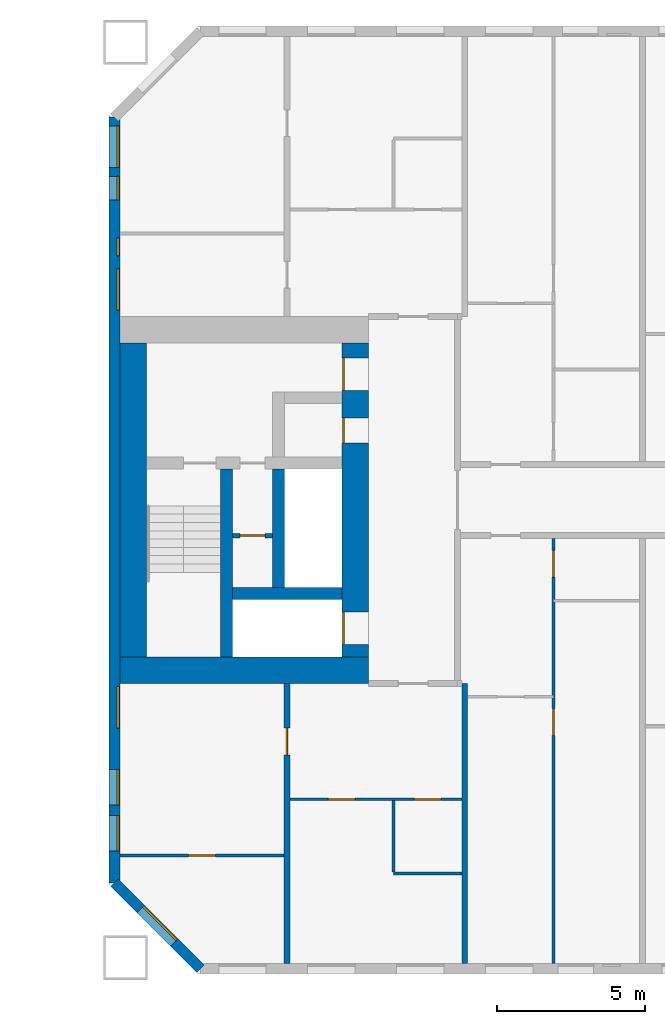
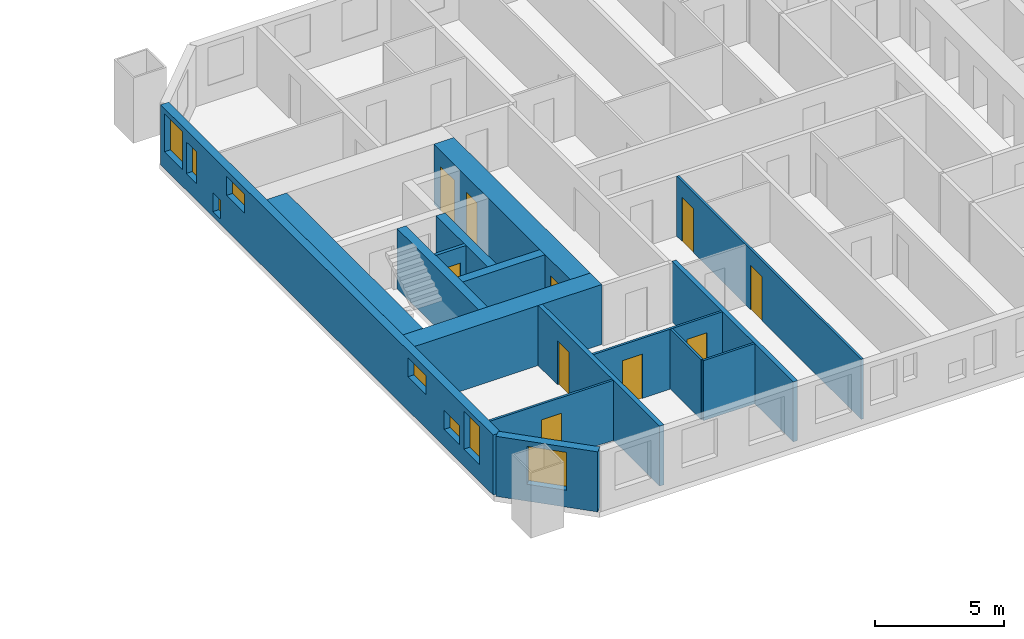
# One storey, part 10 of 18: 16 walls, 10 doors, 8 windows, 18 openings.
"""IFC4 building model written with IfcOpenShell, lengths in metres."""

from ifc_helpers import new_model, si_unit, direction, frame, frame_2d, origin, place, context, subcontext, project, spatial, rectangle, extrude, material, layer, layer_set, type_object, element, fill, save


model = new_model("IFC4")

# Units and contexts
model_context = context("Model", 3, precision=1e-05, world=origin(), true_north=direction((0.0, 1.0)))
body_context = subcontext(model_context, "Body", "Model", "MODEL_VIEW")
ifc_project = project(units=[si_unit("LENGTHUNIT", "METRE"), si_unit("AREAUNIT", "SQUARE_METRE"), si_unit("VOLUMEUNIT", "CUBIC_METRE"), si_unit("PLANEANGLEUNIT", "RADIAN"), si_unit("MASSUNIT", "GRAM", prefix="KILO")], contexts=[model_context])

# Site, building, storey
site_placement = place(None, origin())
site = spatial("IfcSite", under=ifc_project, at=site_placement, CompositionType="ELEMENT")
building_placement = place(site_placement, origin())
building = spatial("IfcBuilding", under=site, at=building_placement, Name="Tuart Gate Housing", CompositionType="ELEMENT")
storey_placement = place(building_placement, frame((0.0, 0.0, 31.89990234375)))
storey = spatial("IfcBuildingStorey", under=building, at=storey_placement, Name="L08", CompositionType="ELEMENT", Elevation=31.89990234375)

# Wall, opening, window
ifc_material_1 = material(Name="Brick", Category="masonry")
ifc_layer_1 = layer(ifc_material_1, 0.360107421875)
ifc_layer_set_1 = layer_set([ifc_layer_1], Name="Brick pier and spandrel wall 360")
wall_type_1 = type_object("IfcWallType", Name="Brick pier and spandrel wall 360", PredefinedType="STANDARD", material=ifc_layer_set_1)
wall_1_placement = place(storey_placement, frame((131.179931640625, 57.07470703125, 0.0), z_axis=(0.0, 0.0, 1.0), x_axis=(0.707106781187, -0.707106781187, 0.0)))
wall_1 = element("IfcWall", 1, at=wall_1_placement, inside=storey, type_object=wall_type_1, Name="External wall B-SW L08", PredefinedType="STANDARD", context=body_context, shape_type="SweptSolid", body=[
    extrude(rectangle(XDim=4.09375, YDim=0.360107421875, at=frame_2d((2.046875, 0.0))), origin(), (0.0, 0.0, 1.0), 2.85009765625),
])
opening_1_placement = place(wall_1_placement, frame((1.2470703125, 0.0, 0.800048828125)))
opening_1 = element("IfcOpeningElement", 2, at=opening_1_placement, cuts=wall_1, Name="Opening W1", PredefinedType="OPENING", context=body_context, shape_type="SweptSolid", body=[
    extrude(rectangle(XDim=1.60009765625, YDim=1.800048828125, at=frame_2d((0.800048828125, 0.89990234375))), frame((0.0, 0.18994140625, 0.0), z_axis=(0.0, -1.0, 0.0), x_axis=(1.0, 0.0, 0.0)), (0.0, 0.0, 1.0), 0.380126953125),
])
ifc_material_2 = material(Name="Aluminium frame with clear glass", Category="aluminium")
window_type_1 = type_object("IfcWindowType", Name="Punched window 1600 x 1800", PartitioningType="SINGLE_PANEL", PredefinedType="WINDOW", material=ifc_material_2)
window_1_placement = place(opening_1_placement, origin())
window_1 = element("IfcWindow", 3, at=window_1_placement, inside=storey, type_object=window_type_1, Name="Window W1", OverallHeight=1.800048828125, OverallWidth=1.60009765625, PartitioningType="SINGLE_PANEL", PredefinedType="WINDOW", context=body_context, shape_type="SweptSolid", body=[
    extrude(rectangle(XDim=1.60009765625, YDim=1.800048828125, at=frame_2d((0.800048828125, 0.89990234375))), frame((0.0, 0.150146484375, 0.0), z_axis=(0.0, -1.0, 0.0), x_axis=(1.0, 0.0, 0.0)), (0.0, 0.0, 1.0), 0.06005859375),
])
fill(opening_1, window_1)

# Wall, openings, windows
wall_2_placement = place(storey_placement, frame((131.179931640625, 82.92529296875, 0.0), z_axis=(0.0, 0.0, 1.0), x_axis=(0.0, -1.0, 0.0)))
wall_2 = element("IfcWall", 4, at=wall_2_placement, inside=storey, type_object=wall_type_1, Name="External wall B-W L08", PredefinedType="STANDARD", context=body_context, shape_type="SweptSolid", body=[
    extrude(rectangle(XDim=25.850830078125, YDim=0.360107421875, at=frame_2d((12.92529296875, 0.0))), origin(), (0.0, 0.0, 1.0), 2.85009765625),
])
opening_2_placement = place(wall_2_placement, frame((0.300048828125, 0.0, 0.800048828125)))
opening_2 = element("IfcOpeningElement", 5, at=opening_2_placement, cuts=wall_2, Name="Opening W1A", PredefinedType="OPENING", context=body_context, shape_type="SweptSolid", body=[
    extrude(rectangle(XDim=1.39990234375, YDim=1.800048828125, at=frame_2d((0.699951171875, 0.89990234375))), frame((0.0, 0.18994140625, 0.0), z_axis=(0.0, -1.0, 0.0), x_axis=(1.0, 0.0, 0.0)), (0.0, 0.0, 1.0), 0.380126953125),
])
opening_3_placement = place(wall_2_placement, frame((4.075439453125, 0.0, 0.25)))
opening_3 = element("IfcOpeningElement", 6, at=opening_3_placement, cuts=wall_2, Name="Opening W1W", PredefinedType="OPENING", context=body_context, shape_type="SweptSolid", body=[
    extrude(rectangle(XDim=0.60009765625, YDim=0.89990234375, at=frame_2d((0.300048828125, 0.449951171875))), frame((0.0, 0.18994140625, 0.0), z_axis=(0.0, -1.0, 0.0), x_axis=(1.0, 0.0, 0.0)), (0.0, 0.0, 1.0), 0.380126953125),
])
opening_4_placement = place(wall_2_placement, frame((19.225341796875, 0.0, 1.60009765625)))
opening_4 = element("IfcOpeningElement", 7, at=opening_4_placement, cuts=wall_2, Name="Opening W1S", PredefinedType="OPENING", context=body_context, shape_type="SweptSolid", body=[
    extrude(rectangle(XDim=1.39990234375, YDim=0.89990234375, at=frame_2d((0.699951171875, 0.449951171875))), frame((0.0, 0.18994140625, 0.0), z_axis=(0.0, -1.0, 0.0), x_axis=(1.0, 0.0, 0.0)), (0.0, 0.0, 1.0), 0.380126953125),
])
opening_5_placement = place(wall_2_placement, frame((22.025390625, 0.0, 0.800048828125)))
opening_5 = element("IfcOpeningElement", 8, at=opening_5_placement, cuts=wall_2, Name="Opening W1T", PredefinedType="OPENING", context=body_context, shape_type="SweptSolid", body=[
    extrude(rectangle(XDim=1.199951171875, YDim=0.89990234375, at=frame_2d((0.60009765625, 0.449951171875))), frame((0.0, 0.18994140625, 0.0), z_axis=(0.0, -1.0, 0.0), x_axis=(1.0, 0.0, 0.0)), (0.0, 0.0, 1.0), 0.380126953125),
])
opening_6_placement = place(wall_2_placement, frame((2.0, 0.0, 0.800048828125)))
opening_6 = element("IfcOpeningElement", 9, at=opening_6_placement, cuts=wall_2, Name="Opening W1J", PredefinedType="OPENING", context=body_context, shape_type="SweptSolid", body=[
    extrude(rectangle(XDim=0.800048828125, YDim=1.5, at=frame_2d((0.39990234375, 0.75))), frame((0.0, 0.18994140625, 0.0), z_axis=(0.0, -1.0, 0.0), x_axis=(1.0, 0.0, 0.0)), (0.0, 0.0, 1.0), 0.380126953125),
])
opening_7_placement = place(wall_2_placement, frame((5.12548828125, 0.0, 1.64990234375)))
opening_7 = element("IfcOpeningElement", 10, at=opening_7_placement, cuts=wall_2, Name="Opening W1S", PredefinedType="OPENING", context=body_context, shape_type="SweptSolid", body=[
    extrude(rectangle(XDim=1.39990234375, YDim=0.89990234375, at=frame_2d((0.699951171875, 0.449951171875))), frame((0.0, 0.18994140625, 0.0), z_axis=(0.0, -1.0, 0.0), x_axis=(1.0, 0.0, 0.0)), (0.0, 0.0, 1.0), 0.380126953125),
])
opening_8_placement = place(wall_2_placement, frame((23.575439453125, 0.0, 0.800048828125)))
opening_8 = element("IfcOpeningElement", 11, at=opening_8_placement, cuts=wall_2, Name="Opening W1B", PredefinedType="OPENING", context=body_context, shape_type="SweptSolid", body=[
    extrude(rectangle(XDim=1.199951171875, YDim=1.800048828125, at=frame_2d((0.60009765625, 0.89990234375))), frame((0.0, 0.18994140625, 0.0), z_axis=(0.0, -1.0, 0.0), x_axis=(1.0, 0.0, 0.0)), (0.0, 0.0, 1.0), 0.380126953125),
])
ifc_material_3 = material(Name="Aluminium frame with clear glass", Category="aluminium")
window_type_2 = type_object("IfcWindowType", Name="Punched window 1200 x 1800", PartitioningType="SINGLE_PANEL", PredefinedType="WINDOW", material=ifc_material_3)
window_2_placement = place(opening_8_placement, origin())
window_2 = element("IfcWindow", 12, at=window_2_placement, inside=storey, type_object=window_type_2, Name="Window W1B", OverallHeight=1.800048828125, OverallWidth=1.199951171875, PartitioningType="SINGLE_PANEL", PredefinedType="WINDOW", context=body_context, shape_type="SweptSolid", body=[
    extrude(rectangle(XDim=1.199951171875, YDim=1.800048828125, at=frame_2d((0.60009765625, 0.89990234375))), frame((0.0, 0.150146484375, 0.0), z_axis=(0.0, -1.0, 0.0), x_axis=(1.0, 0.0, 0.0)), (0.0, 0.0, 1.0), 0.06005859375),
])
fill(opening_8, window_2)
ifc_material_4 = material(Name="Aluminium frame with clear glass", Category="aluminium")
window_type_3 = type_object("IfcWindowType", Name="Punched window 1200 x 900", PartitioningType="SINGLE_PANEL", PredefinedType="WINDOW", material=ifc_material_4)
window_3_placement = place(opening_5_placement, origin())
window_3 = element("IfcWindow", 13, at=window_3_placement, inside=storey, type_object=window_type_3, Name="Window W1T", OverallHeight=0.89990234375, OverallWidth=1.199951171875, PartitioningType="SINGLE_PANEL", PredefinedType="WINDOW", context=body_context, shape_type="SweptSolid", body=[
    extrude(rectangle(XDim=1.199951171875, YDim=0.89990234375, at=frame_2d((0.60009765625, 0.449951171875))), frame((0.0, 0.150146484375, 0.0), z_axis=(0.0, -1.0, 0.0), x_axis=(1.0, 0.0, 0.0)), (0.0, 0.0, 1.0), 0.06005859375),
])
fill(opening_5, window_3)
ifc_material_5 = material(Name="Aluminium frame with clear glass", Category="aluminium")
window_type_4 = type_object("IfcWindowType", Name="Punched window 1400 x 1800", PartitioningType="SINGLE_PANEL", PredefinedType="WINDOW", material=ifc_material_5)
window_4_placement = place(opening_2_placement, origin())
window_4 = element("IfcWindow", 14, at=window_4_placement, inside=storey, type_object=window_type_4, Name="Window W1A", OverallHeight=1.800048828125, OverallWidth=1.39990234375, PartitioningType="SINGLE_PANEL", PredefinedType="WINDOW", context=body_context, shape_type="SweptSolid", body=[
    extrude(rectangle(XDim=1.39990234375, YDim=1.800048828125, at=frame_2d((0.699951171875, 0.89990234375))), frame((0.0, 0.150146484375, 0.0), z_axis=(0.0, -1.0, 0.0), x_axis=(1.0, 0.0, 0.0)), (0.0, 0.0, 1.0), 0.06005859375),
])
fill(opening_2, window_4)
ifc_material_6 = material(Name="Aluminium frame with clear glass", Category="aluminium")
window_type_5 = type_object("IfcWindowType", Name="Punched window 1400 x 900", PartitioningType="SINGLE_PANEL", PredefinedType="WINDOW", material=ifc_material_6)
window_5_placement = place(opening_4_placement, origin())
window_5 = element("IfcWindow", 15, at=window_5_placement, inside=storey, type_object=window_type_5, Name="Window W1S", OverallHeight=0.89990234375, OverallWidth=1.39990234375, PartitioningType="SINGLE_PANEL", PredefinedType="WINDOW", context=body_context, shape_type="SweptSolid", body=[
    extrude(rectangle(XDim=1.39990234375, YDim=0.89990234375, at=frame_2d((0.699951171875, 0.449951171875))), frame((0.0, 0.150146484375, 0.0), z_axis=(0.0, -1.0, 0.0), x_axis=(1.0, 0.0, 0.0)), (0.0, 0.0, 1.0), 0.06005859375),
])
fill(opening_4, window_5)
window_6_placement = place(opening_7_placement, origin())
window_6 = element("IfcWindow", 16, at=window_6_placement, inside=storey, type_object=window_type_5, Name="Window W1S", OverallHeight=0.89990234375, OverallWidth=1.39990234375, PartitioningType="SINGLE_PANEL", PredefinedType="WINDOW", context=body_context, shape_type="SweptSolid", body=[
    extrude(rectangle(XDim=1.39990234375, YDim=0.89990234375, at=frame_2d((0.699951171875, 0.449951171875))), frame((0.0, 0.150146484375, 0.0), z_axis=(0.0, -1.0, 0.0), x_axis=(1.0, 0.0, 0.0)), (0.0, 0.0, 1.0), 0.06005859375),
])
fill(opening_7, window_6)
ifc_material_7 = material(Name="Aluminium frame with clear glass", Category="aluminium")
window_type_6 = type_object("IfcWindowType", Name="Punched window 600 x 900", PartitioningType="SINGLE_PANEL", PredefinedType="WINDOW", material=ifc_material_7)
window_7_placement = place(opening_3_placement, origin())
window_7 = element("IfcWindow", 17, at=window_7_placement, inside=storey, type_object=window_type_6, Name="Window W1W", OverallHeight=0.89990234375, OverallWidth=0.60009765625, PartitioningType="SINGLE_PANEL", PredefinedType="WINDOW", context=body_context, shape_type="SweptSolid", body=[
    extrude(rectangle(XDim=0.60009765625, YDim=0.89990234375, at=frame_2d((0.300048828125, 0.449951171875))), frame((0.0, 0.150146484375, 0.0), z_axis=(0.0, -1.0, 0.0), x_axis=(1.0, 0.0, 0.0)), (0.0, 0.0, 1.0), 0.06005859375),
])
fill(opening_3, window_7)
ifc_material_8 = material(Name="Aluminium frame with clear glass", Category="aluminium")
window_type_7 = type_object("IfcWindowType", Name="Punched window 800 x 1500", PartitioningType="SINGLE_PANEL", PredefinedType="WINDOW", material=ifc_material_8)
window_8_placement = place(opening_6_placement, origin())
window_8 = element("IfcWindow", 18, at=window_8_placement, inside=storey, type_object=window_type_7, Name="Window W1J", OverallHeight=1.5, OverallWidth=0.800048828125, PartitioningType="SINGLE_PANEL", PredefinedType="WINDOW", context=body_context, shape_type="SweptSolid", body=[
    extrude(rectangle(XDim=0.800048828125, YDim=1.5, at=frame_2d((0.39990234375, 0.75))), frame((0.0, 0.150146484375, 0.0), z_axis=(0.0, -1.0, 0.0), x_axis=(1.0, 0.0, 0.0)), (0.0, 0.0, 1.0), 0.06005859375),
])
fill(opening_6, window_8)

# Wall, opening, door
ifc_material_9 = material(Name="Plasterboard partition")
ifc_layer_2 = layer(ifc_material_9, 0.14990234375)
ifc_layer_set_2 = layer_set([ifc_layer_2], Name="Core partition 150")
wall_type_2 = type_object("IfcWallType", Name="Core partition 150", PredefinedType="PARTITIONING", material=ifc_layer_set_2)
wall_3_placement = place(storey_placement, frame((136.510009765625, 68.800048828125, 0.0), z_axis=(0.0, 0.0, 1.0), x_axis=(-1.0, 0.0, 0.0)))
wall_3 = element("IfcWall", 19, at=wall_3_placement, inside=storey, type_object=wall_type_2, Name="Core partition BG.2", PredefinedType="PARTITIONING", context=body_context, shape_type="SweptSolid", body=[
    extrude(rectangle(XDim=1.35009765625, YDim=0.14990234375, at=frame_2d((0.675048828125, 0.0))), origin(), (0.0, 0.0, 1.0), 2.85009765625),
])
opening_9_placement = place(wall_3_placement, frame((0.25, 0.0, 0.0)))
opening_9 = element("IfcOpeningElement", 20, at=opening_9_placement, cuts=wall_3, Name="Opening D564", PredefinedType="OPENING", context=body_context, shape_type="SweptSolid", body=[
    extrude(rectangle(XDim=0.85009765625, YDim=2.10009765625, at=frame_2d((0.425048828125, 1.050048828125))), frame((0.0, 0.0849609375, 0.0), z_axis=(0.0, -1.0, 0.0), x_axis=(1.0, 0.0, 0.0)), (0.0, 0.0, 1.0), 0.169921875),
])
ifc_material_10 = material(Name="Steel fire door", Category="steel")
door_type_1 = type_object("IfcDoorType", Name="Service door 850 x 2100 RH", OperationType="SINGLE_SWING_RIGHT", PredefinedType="DOOR", material=ifc_material_10)
door_1_placement = place(opening_9_placement, frame((0.85009765625, 0.0, 0.0), z_axis=(0.0, 0.0, 1.0), x_axis=(-1.0, 0.0, 0.0)))
door_1 = element("IfcDoor", 21, at=door_1_placement, inside=storey, type_object=door_type_1, Name="Service room door BG.W2", OperationType="SINGLE_SWING_RIGHT", OverallHeight=2.10009765625, OverallWidth=0.85009765625, PredefinedType="DOOR", context=body_context, shape_type="SweptSolid", body=[
    extrude(rectangle(XDim=0.85009765625, YDim=2.10009765625, at=frame_2d((0.425048828125, 1.050048828125))), frame((0.0, 0.025146484375, 0.0), z_axis=(0.0, -1.0, 0.0), x_axis=(1.0, 0.0, 0.0)), (0.0, 0.0, 1.0), 0.050048828125),
])
fill(opening_9, door_1)

# Walls
ifc_material_11 = material(Name="Concrete C60", Category="concrete")
ifc_layer_3 = layer(ifc_material_11, 0.39990234375)
ifc_layer_set_3 = layer_set([ifc_layer_3], Name="Core wall 400 C60")
wall_type_3 = type_object("IfcWallType", Name="Core wall 400 C60", PredefinedType="SHEAR", material=ifc_layer_set_3)
wall_4_placement = place(storey_placement, frame((138.860107421875, 66.85009765625, 0.0), z_axis=(0.0, 0.0, 1.0), x_axis=(-1.0, 0.0, 0.0)))
element("IfcWall", 22, at=wall_4_placement, inside=storey, type_object=wall_type_3, Name="Core wall BG.1", PredefinedType="SHEAR", context=body_context, shape_type="SweptSolid", body=[
    extrude(rectangle(XDim=3.7001953125, YDim=0.39990234375, at=frame_2d((1.85009765625, 0.0))), origin(), (0.0, 0.0, 1.0), 2.85009765625),
])
wall_5_placement = place(storey_placement, frame((136.7099609375, 67.050048828125, 0.0), z_axis=(0.0, 0.0, 1.0), x_axis=(0.0, 1.0, 0.0)))
element("IfcWall", 23, at=wall_5_placement, inside=storey, type_object=wall_type_3, Name="Core wall BG.5", PredefinedType="SHEAR", context=body_context, shape_type="SweptSolid", body=[
    extrude(rectangle(XDim=4.0, YDim=0.39990234375, at=frame_2d((2.0, 0.0))), origin(), (0.0, 0.0, 1.0), 2.85009765625),
])
wall_6_placement = place(storey_placement, frame((134.9599609375, 64.699951171875, 0.0), z_axis=(0.0, 0.0, 1.0), x_axis=(0.0, 1.0, 0.0)))
element("IfcWall", 24, at=wall_6_placement, inside=storey, type_object=wall_type_3, Name="Core wall BG.7", PredefinedType="SHEAR", context=body_context, shape_type="SweptSolid", body=[
    extrude(rectangle(XDim=6.35009765625, YDim=0.39990234375, at=frame_2d((3.175048828125, 0.0))), origin(), (0.0, 0.0, 1.0), 2.85009765625),
])

# Wall, openings, doors
ifc_material_12 = material(Name="Concrete C60", Category="concrete")
ifc_layer_4 = layer(ifc_material_12, 0.89990234375)
ifc_layer_set_4 = layer_set([ifc_layer_4], Name="Core wall 900 C60")
wall_type_4 = type_object("IfcWallType", Name="Core wall 900 C60", PredefinedType="SHEAR", material=ifc_layer_set_4)
wall_7_placement = place(storey_placement, frame((139.31005859375, 64.699951171875, 0.0), z_axis=(0.0, 0.0, 1.0), x_axis=(0.0, 1.0, 0.0)))
wall_7 = element("IfcWall", 25, at=wall_7_placement, inside=storey, type_object=wall_type_4, Name="Core wall BG front", PredefinedType="SHEAR", context=body_context, shape_type="SweptSolid", body=[
    extrude(rectangle(XDim=10.60009765625, YDim=0.89990234375, at=frame_2d((5.300048828125, 0.0))), origin(), (0.0, 0.0, 1.0), 2.85009765625),
])
opening_10_placement = place(wall_7_placement, frame((0.425048828125, 0.0, 0.0)))
opening_10 = element("IfcOpeningElement", 26, at=opening_10_placement, cuts=wall_7, Name="Opening LD-FB1", PredefinedType="OPENING", context=body_context, shape_type="SweptSolid", body=[
    extrude(rectangle(XDim=1.10009765625, YDim=2.10009765625, at=frame_2d((0.550048828125, 1.050048828125))), frame((0.0, 0.4599609375, 0.0), z_axis=(0.0, -1.0, 0.0), x_axis=(1.0, 0.0, 0.0)), (0.0, 0.0, 1.0), 0.919921875),
])
opening_11_placement = place(wall_7_placement, frame((9.0, 0.0, 0.0)))
opening_11 = element("IfcOpeningElement", 27, at=opening_11_placement, cuts=wall_7, Name="Opening D556", PredefinedType="OPENING", context=body_context, shape_type="SweptSolid", body=[
    extrude(rectangle(XDim=1.10009765625, YDim=2.10009765625, at=frame_2d((0.550048828125, 1.050048828125))), frame((0.0, 0.4599609375, 0.0), z_axis=(0.0, -1.0, 0.0), x_axis=(1.0, 0.0, 0.0)), (0.0, 0.0, 1.0), 0.919921875),
])
opening_12_placement = place(wall_7_placement, frame((7.22509765625, 0.0, 0.0)))
opening_12 = element("IfcOpeningElement", 28, at=opening_12_placement, cuts=wall_7, Name="Opening D557", PredefinedType="OPENING", context=body_context, shape_type="SweptSolid", body=[
    extrude(rectangle(XDim=0.85009765625, YDim=2.10009765625, at=frame_2d((0.425048828125, 1.050048828125))), frame((0.0, 0.4599609375, 0.0), z_axis=(0.0, -1.0, 0.0), x_axis=(1.0, 0.0, 0.0)), (0.0, 0.0, 1.0), 0.919921875),
])
ifc_material_13 = material(Name="Stainless steel", Category="steel")
door_type_2 = type_object("IfcDoorType", Name="Landing door 1100 x 2100", OperationType="DOUBLE_DOOR_SLIDING", PredefinedType="DOOR", material=ifc_material_13)
door_2_placement = place(opening_10_placement, origin())
door_2 = element("IfcDoor", 29, at=door_2_placement, inside=storey, type_object=door_type_2, Name="Lift landing door FB1", OperationType="DOUBLE_DOOR_SLIDING", OverallHeight=2.10009765625, OverallWidth=1.10009765625, PredefinedType="DOOR", context=body_context, shape_type="SweptSolid", body=[
    extrude(rectangle(XDim=1.10009765625, YDim=2.10009765625, at=frame_2d((0.550048828125, 1.050048828125))), frame((0.0, 0.43505859375, 0.0), z_axis=(0.0, -1.0, 0.0), x_axis=(1.0, 0.0, 0.0)), (0.0, 0.0, 1.0), 0.050048828125),
])
fill(opening_10, door_2)
ifc_material_14 = material(Name="Steel fire door", Category="steel")
door_type_3 = type_object("IfcDoorType", Name="Lobby door 1100 x 2100", OperationType="SINGLE_SWING_LEFT", PredefinedType="DOOR", material=ifc_material_14)
door_3_placement = place(opening_11_placement, origin())
door_3 = element("IfcDoor", 30, at=door_3_placement, inside=storey, type_object=door_type_3, Name="Lobby entry door BG.EN", OperationType="SINGLE_SWING_LEFT", OverallHeight=2.10009765625, OverallWidth=1.10009765625, PredefinedType="DOOR", context=body_context, shape_type="SweptSolid", body=[
    extrude(rectangle(XDim=1.10009765625, YDim=2.10009765625, at=frame_2d((0.550048828125, 1.050048828125))), frame((0.0, 0.43505859375, 0.0), z_axis=(0.0, -1.0, 0.0), x_axis=(1.0, 0.0, 0.0)), (0.0, 0.0, 1.0), 0.050048828125),
])
fill(opening_11, door_3)
ifc_material_15 = material(Name="Steel fire door", Category="steel")
door_type_4 = type_object("IfcDoorType", Name="Service door 850 x 2100", OperationType="SINGLE_SWING_LEFT", PredefinedType="DOOR", material=ifc_material_15)
door_4_placement = place(opening_12_placement, origin())
door_4 = element("IfcDoor", 31, at=door_4_placement, inside=storey, type_object=door_type_4, Name="Service room door BG.T1", OperationType="SINGLE_SWING_LEFT", OverallHeight=2.10009765625, OverallWidth=0.85009765625, PredefinedType="DOOR", context=body_context, shape_type="SweptSolid", body=[
    extrude(rectangle(XDim=0.85009765625, YDim=2.10009765625, at=frame_2d((0.425048828125, 1.050048828125))), frame((0.0, 0.43505859375, 0.0), z_axis=(0.0, -1.0, 0.0), x_axis=(1.0, 0.0, 0.0)), (0.0, 0.0, 1.0), 0.050048828125),
])
fill(opening_12, door_4)

# Walls
wall_8_placement = place(storey_placement, frame((131.81005859375, 64.699951171875, 0.0), z_axis=(0.0, 0.0, 1.0), x_axis=(0.0, 1.0, 0.0)))
element("IfcWall", 32, at=wall_8_placement, inside=storey, type_object=wall_type_4, Name="Core wall BG back", PredefinedType="SHEAR", context=body_context, shape_type="SweptSolid", body=[
    extrude(rectangle(XDim=10.60009765625, YDim=0.89990234375, at=frame_2d((5.300048828125, 0.0))), origin(), (0.0, 0.0, 1.0), 2.85009765625),
])
wall_9_placement = place(storey_placement, frame((139.760009765625, 64.25, 0.0), z_axis=(0.0, 0.0, 1.0), x_axis=(-1.0, 0.0, 0.0)))
element("IfcWall", 33, at=wall_9_placement, inside=storey, type_object=wall_type_4, Name="Core wall BG south", PredefinedType="SHEAR", context=body_context, shape_type="SweptSolid", body=[
    extrude(rectangle(XDim=8.39990234375, YDim=0.89990234375, at=frame_2d((4.199951171875, 0.0))), origin(), (0.0, 0.0, 1.0), 2.85009765625),
])
ifc_material_16 = material(Name="Gypsum board on steel studs", Category="steel")
ifc_layer_5 = layer(ifc_material_16, 0.10009765625)
ifc_layer_set_5 = layer_set([ifc_layer_5], Name="Partition 100")
wall_type_5 = type_object("IfcWallType", Name="Partition 100", PredefinedType="PARTITIONING", material=ifc_layer_set_5)
wall_10_placement = place(storey_placement, frame((140.60009765625, 57.39990234375, 0.0), z_axis=(0.0, 0.0, 1.0), x_axis=(1.0, 0.0, 0.0)))
element("IfcWall", 34, at=wall_10_placement, inside=storey, type_object=wall_type_5, Name="Partition 100", PredefinedType="PARTITIONING", context=body_context, shape_type="SweptSolid", body=[
    extrude(rectangle(XDim=2.2998046875, YDim=0.10009765625, at=frame_2d((1.14990234375, 0.0))), origin(), (0.0, 0.0, 1.0), 2.85009765625),
])

# Wall, opening, door
wall_11_placement = place(storey_placement, frame((131.360107421875, 58.0, 0.0), z_axis=(0.0, 0.0, 1.0), x_axis=(1.0, 0.0, 0.0)))
wall_11 = element("IfcWall", 35, at=wall_11_placement, inside=storey, type_object=wall_type_5, Name="Partition 100", PredefinedType="PARTITIONING", context=body_context, shape_type="SweptSolid", body=[
    extrude(rectangle(XDim=5.539794921875, YDim=0.10009765625, at=frame_2d((2.77001953125, 0.0))), origin(), (0.0, 0.0, 1.0), 2.85009765625),
])
opening_13_placement = place(wall_11_placement, frame((2.320068359375, 0.0, 0.0)))
opening_13 = element("IfcOpeningElement", 36, at=opening_13_placement, cuts=wall_11, Name="Opening D583", PredefinedType="OPENING", context=body_context, shape_type="SweptSolid", body=[
    extrude(rectangle(XDim=0.89990234375, YDim=2.10009765625, at=frame_2d((0.449951171875, 1.050048828125))), frame((0.0, 0.06005859375, 0.0), z_axis=(0.0, -1.0, 0.0), x_axis=(1.0, 0.0, 0.0)), (0.0, 0.0, 1.0), 0.1201171875),
])
ifc_material_17 = material(Name="Timber door leaf in steel frame", Category="steel")
door_type_5 = type_object("IfcDoorType", Name="Internal door 900 RH", OperationType="SINGLE_SWING_RIGHT", PredefinedType="DOOR", material=ifc_material_17)
door_5_placement = place(opening_13_placement, frame((0.89990234375, 0.0, 0.0), z_axis=(0.0, 0.0, 1.0), x_axis=(-1.0, 0.0, 0.0)))
door_5 = element("IfcDoor", 37, at=door_5_placement, inside=storey, type_object=door_type_5, Name="Internal door", OperationType="SINGLE_SWING_RIGHT", OverallHeight=2.10009765625, OverallWidth=0.89990234375, PredefinedType="DOOR", context=body_context, shape_type="SweptSolid", body=[
    extrude(rectangle(XDim=0.89990234375, YDim=2.10009765625, at=frame_2d((0.449951171875, 1.050048828125))), frame((0.0, 0.025146484375, 0.0), z_axis=(0.0, -1.0, 0.0), x_axis=(1.0, 0.0, 0.0)), (0.0, 0.0, 1.0), 0.050048828125),
])
fill(opening_13, door_5)

# Wall, openings, doors
wall_12_placement = place(storey_placement, frame((137.10009765625, 59.89990234375, 0.0), z_axis=(0.0, 0.0, 1.0), x_axis=(1.0, 0.0, 0.0)))
wall_12 = element("IfcWall", 38, at=wall_12_placement, inside=storey, type_object=wall_type_5, Name="Partition 100", PredefinedType="PARTITIONING", context=body_context, shape_type="SweptSolid", body=[
    extrude(rectangle(XDim=5.7998046875, YDim=0.10009765625, at=frame_2d((2.89990234375, 0.0))), origin(), (0.0, 0.0, 1.0), 2.85009765625),
])
opening_14_placement = place(wall_12_placement, frame((1.300048828125, 0.0, 0.0)))
opening_14 = element("IfcOpeningElement", 39, at=opening_14_placement, cuts=wall_12, Name="Opening D581", PredefinedType="OPENING", context=body_context, shape_type="SweptSolid", body=[
    extrude(rectangle(XDim=0.89990234375, YDim=2.10009765625, at=frame_2d((0.449951171875, 1.050048828125))), frame((0.0, 0.06005859375, 0.0), z_axis=(0.0, -1.0, 0.0), x_axis=(1.0, 0.0, 0.0)), (0.0, 0.0, 1.0), 0.1201171875),
])
opening_15_placement = place(wall_12_placement, frame((4.199951171875, 0.0, 0.0)))
opening_15 = element("IfcOpeningElement", 40, at=opening_15_placement, cuts=wall_12, Name="Opening D580", PredefinedType="OPENING", context=body_context, shape_type="SweptSolid", body=[
    extrude(rectangle(XDim=0.89990234375, YDim=2.10009765625, at=frame_2d((0.449951171875, 1.050048828125))), frame((0.0, 0.06005859375, 0.0), z_axis=(0.0, -1.0, 0.0), x_axis=(1.0, 0.0, 0.0)), (0.0, 0.0, 1.0), 0.1201171875),
])
ifc_material_18 = material(Name="Timber door leaf in steel frame", Category="steel")
door_type_6 = type_object("IfcDoorType", Name="Bathroom door 900 RH", OperationType="SINGLE_SWING_RIGHT", PredefinedType="DOOR", material=ifc_material_18)
door_6_placement = place(opening_15_placement, frame((0.89990234375, 0.0, 0.0), z_axis=(0.0, 0.0, 1.0), x_axis=(-1.0, 0.0, 0.0)))
door_6 = element("IfcDoor", 41, at=door_6_placement, inside=storey, type_object=door_type_6, Name="Bathroom door", OperationType="SINGLE_SWING_RIGHT", OverallHeight=2.10009765625, OverallWidth=0.89990234375, PredefinedType="DOOR", context=body_context, shape_type="SweptSolid", body=[
    extrude(rectangle(XDim=0.89990234375, YDim=2.10009765625, at=frame_2d((0.449951171875, 1.050048828125))), frame((0.0, 0.025146484375, 0.0), z_axis=(0.0, -1.0, 0.0), x_axis=(1.0, 0.0, 0.0)), (0.0, 0.0, 1.0), 0.050048828125),
])
fill(opening_15, door_6)
ifc_material_19 = material(Name="Timber door leaf in steel frame", Category="steel")
door_type_7 = type_object("IfcDoorType", Name="Internal door 900", OperationType="SINGLE_SWING_LEFT", PredefinedType="DOOR", material=ifc_material_19)
door_7_placement = place(opening_14_placement, frame((0.89990234375, 0.0, 0.0), z_axis=(0.0, 0.0, 1.0), x_axis=(-1.0, 0.0, 0.0)))
door_7 = element("IfcDoor", 42, at=door_7_placement, inside=storey, type_object=door_type_7, Name="Internal door", OperationType="SINGLE_SWING_LEFT", OverallHeight=2.10009765625, OverallWidth=0.89990234375, PredefinedType="DOOR", context=body_context, shape_type="SweptSolid", body=[
    extrude(rectangle(XDim=0.89990234375, YDim=2.10009765625, at=frame_2d((0.449951171875, 1.050048828125))), frame((0.0, 0.025146484375, 0.0), z_axis=(0.0, -1.0, 0.0), x_axis=(1.0, 0.0, 0.0)), (0.0, 0.0, 1.0), 0.050048828125),
])
fill(opening_14, door_7)

# Wall
wall_13_placement = place(storey_placement, frame((140.60009765625, 57.449951171875, 0.0), z_axis=(0.0, 0.0, 1.0), x_axis=(0.0, 1.0, 0.0)))
element("IfcWall", 43, at=wall_13_placement, inside=storey, type_object=wall_type_5, Name="Partition 100", PredefinedType="PARTITIONING", context=body_context, shape_type="SweptSolid", body=[
    extrude(rectangle(XDim=2.400146484375, YDim=0.10009765625, at=frame_2d((1.2001953125, 0.0))), origin(), (0.0, 0.0, 1.0), 2.85009765625),
])

# Wall, openings, doors
wall_14_placement = place(storey_placement, frame((146.0, 54.360107421875, 0.0), z_axis=(0.0, 0.0, 1.0), x_axis=(0.0, 1.0, 0.0)))
wall_14 = element("IfcWall", 44, at=wall_14_placement, inside=storey, type_object=wall_type_5, Name="Partition 100", PredefinedType="PARTITIONING", context=body_context, shape_type="SweptSolid", body=[
    extrude(rectangle(XDim=14.33984375, YDim=0.10009765625, at=frame_2d((7.169921875, 0.0))), origin(), (0.0, 0.0, 1.0), 2.85009765625),
])
opening_16_placement = place(wall_14_placement, frame((7.699951171875, 0.0, 0.0)))
opening_16 = element("IfcOpeningElement", 45, at=opening_16_placement, cuts=wall_14, Name="Opening D575", PredefinedType="OPENING", context=body_context, shape_type="SweptSolid", body=[
    extrude(rectangle(XDim=0.89990234375, YDim=2.10009765625, at=frame_2d((0.449951171875, 1.050048828125))), frame((0.0, 0.06005859375, 0.0), z_axis=(0.0, -1.0, 0.0), x_axis=(1.0, 0.0, 0.0)), (0.0, 0.0, 1.0), 0.1201171875),
])
opening_17_placement = place(wall_14_placement, frame((13.0400390625, 0.0, 0.0)))
opening_17 = element("IfcOpeningElement", 46, at=opening_17_placement, cuts=wall_14, Name="Opening D574", PredefinedType="OPENING", context=body_context, shape_type="SweptSolid", body=[
    extrude(rectangle(XDim=0.89990234375, YDim=2.10009765625, at=frame_2d((0.449951171875, 1.050048828125))), frame((0.0, 0.06005859375, 0.0), z_axis=(0.0, -1.0, 0.0), x_axis=(1.0, 0.0, 0.0)), (0.0, 0.0, 1.0), 0.1201171875),
])
ifc_material_20 = material(Name="Timber door leaf in steel frame", Category="steel")
door_type_8 = type_object("IfcDoorType", Name="Bathroom door 900", OperationType="SINGLE_SWING_LEFT", PredefinedType="DOOR", material=ifc_material_20)
door_8_placement = place(opening_17_placement, frame((0.89990234375, 0.0, 0.0), z_axis=(0.0, 0.0, 1.0), x_axis=(-1.0, 0.0, 0.0)))
door_8 = element("IfcDoor", 47, at=door_8_placement, inside=storey, type_object=door_type_8, Name="Bathroom door", OperationType="SINGLE_SWING_LEFT", OverallHeight=2.10009765625, OverallWidth=0.89990234375, PredefinedType="DOOR", context=body_context, shape_type="SweptSolid", body=[
    extrude(rectangle(XDim=0.89990234375, YDim=2.10009765625, at=frame_2d((0.449951171875, 1.050048828125))), frame((0.0, 0.025146484375, 0.0), z_axis=(0.0, -1.0, 0.0), x_axis=(1.0, 0.0, 0.0)), (0.0, 0.0, 1.0), 0.050048828125),
])
fill(opening_17, door_8)
door_9_placement = place(opening_16_placement, frame((0.89990234375, 0.0, 0.0), z_axis=(0.0, 0.0, 1.0), x_axis=(-1.0, 0.0, 0.0)))
door_9 = element("IfcDoor", 48, at=door_9_placement, inside=storey, type_object=door_type_7, Name="Internal door", OperationType="SINGLE_SWING_LEFT", OverallHeight=2.10009765625, OverallWidth=0.89990234375, PredefinedType="DOOR", context=body_context, shape_type="SweptSolid", body=[
    extrude(rectangle(XDim=0.89990234375, YDim=2.10009765625, at=frame_2d((0.449951171875, 1.050048828125))), frame((0.0, 0.025146484375, 0.0), z_axis=(0.0, -1.0, 0.0), x_axis=(1.0, 0.0, 0.0)), (0.0, 0.0, 1.0), 0.050048828125),
])
fill(opening_16, door_9)

# Wall, opening, door
ifc_material_21 = material(Name="Concrete C40", Category="concrete")
ifc_layer_6 = layer(ifc_material_21, 0.199951171875)
ifc_layer_set_6 = layer_set([ifc_layer_6], Name="Party wall concrete C40 200")
wall_type_6 = type_object("IfcWallType", Name="Party wall concrete C40 200", PredefinedType="SOLIDWALL", material=ifc_layer_set_6)
wall_15_placement = place(storey_placement, frame((137.0, 54.360107421875, 0.0), z_axis=(0.0, 0.0, 1.0), x_axis=(0.0, 1.0, 0.0)))
wall_15 = element("IfcWall", 49, at=wall_15_placement, inside=storey, type_object=wall_type_6, Name="Party wall concrete C40 200", PredefinedType="SOLIDWALL", context=body_context, shape_type="SweptSolid", body=[
    extrude(rectangle(XDim=9.43994140625, YDim=0.199951171875, at=frame_2d((4.719970703125, 0.0))), origin(), (0.0, 0.0, 1.0), 2.85009765625),
])
opening_18_placement = place(wall_15_placement, frame((7.0400390625, 0.0, 0.0)))
opening_18 = element("IfcOpeningElement", 50, at=opening_18_placement, cuts=wall_15, Name="Opening D582", PredefinedType="OPENING", context=body_context, shape_type="SweptSolid", body=[
    extrude(rectangle(XDim=0.89990234375, YDim=2.10009765625, at=frame_2d((0.449951171875, 1.050048828125))), frame((0.0, 0.10986328125, 0.0), z_axis=(0.0, -1.0, 0.0), x_axis=(1.0, 0.0, 0.0)), (0.0, 0.0, 1.0), 0.219970703125),
])
door_10_placement = place(opening_18_placement, frame((0.89990234375, 0.0, 0.0), z_axis=(0.0, 0.0, 1.0), x_axis=(-1.0, 0.0, 0.0)))
door_10 = element("IfcDoor", 51, at=door_10_placement, inside=storey, type_object=door_type_5, Name="Internal door", OperationType="SINGLE_SWING_RIGHT", OverallHeight=2.10009765625, OverallWidth=0.89990234375, PredefinedType="DOOR", context=body_context, shape_type="SweptSolid", body=[
    extrude(rectangle(XDim=0.89990234375, YDim=2.10009765625, at=frame_2d((0.449951171875, 1.050048828125))), frame((0.0, 0.025146484375, 0.0), z_axis=(0.0, -1.0, 0.0), x_axis=(1.0, 0.0, 0.0)), (0.0, 0.0, 1.0), 0.050048828125),
])
fill(opening_18, door_10)

# Wall
wall_16_placement = place(storey_placement, frame((143.0, 54.360107421875, 0.0), z_axis=(0.0, 0.0, 1.0), x_axis=(0.0, 1.0, 0.0)))
element("IfcWall", 52, at=wall_16_placement, inside=storey, type_object=wall_type_6, Name="Party wall concrete C40 200", PredefinedType="SOLIDWALL", context=body_context, shape_type="SweptSolid", body=[
    extrude(rectangle(XDim=9.43994140625, YDim=0.199951171875, at=frame_2d((4.719970703125, 0.0))), origin(), (0.0, 0.0, 1.0), 2.85009765625),
])

save(model, "model.ifc")
